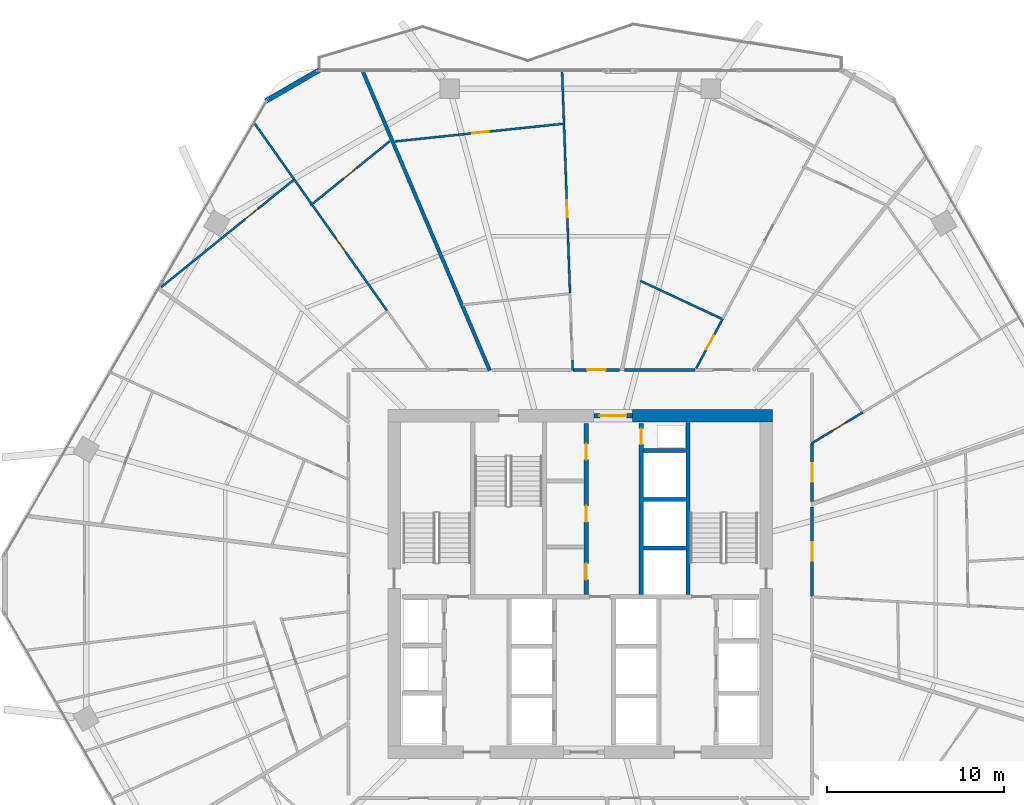
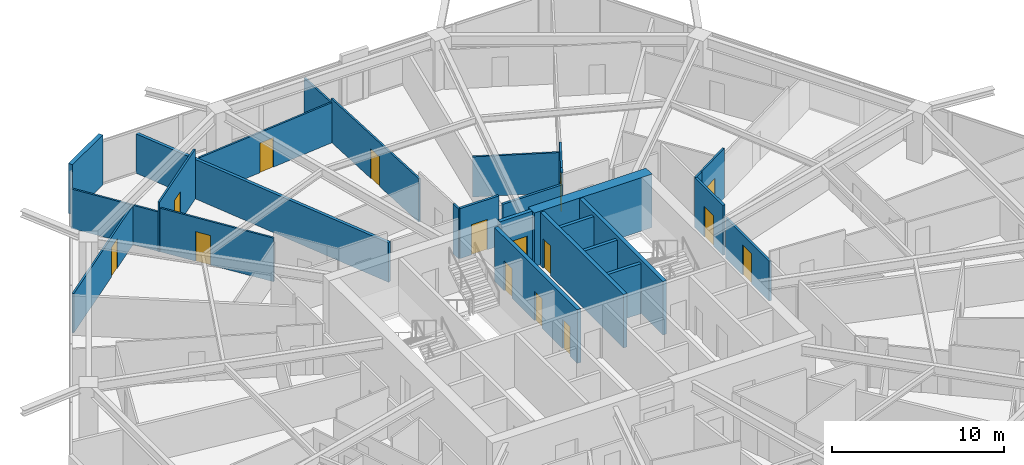
# One storey, part 28 of 33: 28 walls, 15 doors, 15 openings.
"""IFC4 building model written with IfcOpenShell, lengths in metres."""

import ifcopenshell
import ifcopenshell.guid

model = None  # the IFC model being written
_history = None  # IfcOwnerHistory: only IFC2X3 demands one
_inside = {}  # id of a spatial element -> (the spatial element, [elements in it])
_under = {}  # id of a project, library or spatial element -> (it, [spatial elements below it])
_declared = {}  # id of a project -> (the project, [libraries it declares])
_typed = {}  # id of a type object -> (the type object, [elements of that type])
_made_of = {}  # id of a material, layer set ... -> (it, [elements and type objects made of it])


def new_model(schema):
    """Start an empty IFC model of exactly this schema.

    Asked for "IFC4X3", IfcOpenShell would pick the latest addendum, in which some entities
    have other attributes; the version numbers below select the first issue.
    IFC2X3 requires an IfcOwnerHistory on every rooted entity: one is made here for all.
    """
    global model, _history
    if schema == "IFC4X3":
        model = ifcopenshell.file(schema_version=(4, 3, 0, 0))
    else:
        model = ifcopenshell.file(schema=schema)
    _inside.clear()
    _under.clear()
    _declared.clear()
    _typed.clear()
    _made_of.clear()
    _history = None
    if model.schema == "IFC2X3":
        org = make("IfcOrganization", Name="unknown")
        user = make(
            "IfcPersonAndOrganization",
            ThePerson=make("IfcPerson", FamilyName="unknown"),
            TheOrganization=org,
        )
        app = make(
            "IfcApplication",
            ApplicationDeveloper=org,
            Version="unknown",
            ApplicationFullName="unknown",
            ApplicationIdentifier="unknown",
        )
        _history = make(
            "IfcOwnerHistory",
            OwningUser=user,
            OwningApplication=app,
            ChangeAction="ADDED",
            CreationDate=0,
        )
    return model


def make(cls, **values):
    """One entity of the class cls with the attributes given. An attribute that is None is left unset."""
    return model.create_entity(
        cls, **{name: value for name, value in values.items() if value is not None}
    )


def rooted(cls, **values):
    """An entity with a GlobalId (a new one), such as an element, a storey or a relation."""
    return make(cls, GlobalId=ifcopenshell.guid.new(), OwnerHistory=_history, **values)


def si_unit(unit_type, name, prefix=None):
    """IfcSIUnit, for example si_unit("LENGTHUNIT", "METRE", prefix="MILLI")."""
    return make("IfcSIUnit", UnitType=unit_type, Prefix=prefix, Name=name)


def assignment(units):
    """IfcUnitAssignment: the units of a project."""
    return None if units is None else make("IfcUnitAssignment", Units=units)


def point(xyz):
    """IfcCartesianPoint."""
    return None if xyz is None else make("IfcCartesianPoint", Coordinates=xyz)


def direction(xyz):
    """IfcDirection."""
    return None if xyz is None else make("IfcDirection", DirectionRatios=xyz)


def frame(location, z_axis=None, x_axis=None):
    """IfcAxis2Placement3D, a coordinate frame: its origin and axes. An axis left out is left unset."""
    return make(
        "IfcAxis2Placement3D",
        Location=point(location),
        Axis=direction(z_axis),
        RefDirection=direction(x_axis),
    )


def frame_2d(location, x_axis=None):
    """IfcAxis2Placement2D, a coordinate frame in the plane: its origin and x axis."""
    return make(
        "IfcAxis2Placement2D", Location=point(location), RefDirection=direction(x_axis)
    )


def origin():
    """The frame at (0, 0, 0) with its axes left unset."""
    return frame((0.0, 0.0, 0.0))


def place(relative_to, where):
    """IfcLocalPlacement: puts the frame where relative to a parent placement (None: the world)."""
    return make(
        "IfcLocalPlacement", PlacementRelTo=relative_to, RelativePlacement=where
    )


def context(
    kind, dimensions, precision=None, world=None, true_north=None, identifier=None
):
    """IfcGeometricRepresentationContext, for example the 3D "Model" context."""
    return make(
        "IfcGeometricRepresentationContext",
        ContextIdentifier=identifier,
        ContextType=kind,
        CoordinateSpaceDimension=dimensions,
        Precision=precision,
        WorldCoordinateSystem=world,
        TrueNorth=true_north,
    )


def subcontext(parent, identifier, kind, view, scale=None):
    """IfcGeometricRepresentationSubContext, for example "Body" below "Model"."""
    return make(
        "IfcGeometricRepresentationSubContext",
        ContextIdentifier=identifier,
        ContextType=kind,
        ParentContext=parent,
        TargetScale=scale,
        TargetView=view,
    )


def project(units=None, contexts=None):
    """IfcProject with its units and contexts."""
    return rooted(
        "IfcProject",
        Name="project",
        RepresentationContexts=contexts,
        UnitsInContext=assignment(units),
    )


def spatial(cls, under=None, at=None, **own):
    """A site, building, storey or space (cls), placed at a placement, below another one or the project."""
    s = rooted(cls, ObjectPlacement=at, **own)
    if under is not None:
        _under.setdefault(under.id(), (under, []))[1].append(s)
    return s


def profile(cls, at=None, kind="AREA", **sizes):
    """A parametric profile (cls). Its sizes go by their IFC names, for example OverallWidth=200.0."""
    return make(cls, ProfileType=kind, Position=at, **sizes)


def rectangle(**sizes):
    """IfcRectangleProfileDef."""
    return profile("IfcRectangleProfileDef", **sizes)


def extrude(swept, where, along, depth):
    """IfcExtrudedAreaSolid: the profile swept, set in the frame where, extruded along a direction by depth."""
    return make(
        "IfcExtrudedAreaSolid",
        SweptArea=swept,
        Position=where,
        ExtrudedDirection=direction(along),
        Depth=depth,
    )


def shape(context_of_items, identifier, shape_type, items):
    """IfcShapeRepresentation: the items that make up one representation, for example the "Body"."""
    return make(
        "IfcShapeRepresentation",
        ContextOfItems=context_of_items,
        RepresentationIdentifier=identifier,
        RepresentationType=shape_type,
        Items=items,
    )


def material(Name=None, Category=None):
    """IfcMaterial."""
    return make("IfcMaterial", Name=Name, Category=Category)


def layer(
    of_material, thickness, ventilated=None, Name=None, Category=None, Priority=None
):
    """IfcMaterialLayer: one layer of a wall or slab, of a material (None: an air gap)."""
    return make(
        "IfcMaterialLayer",
        Material=of_material,
        LayerThickness=thickness,
        IsVentilated=ventilated,
        Name=Name,
        Category=Category,
        Priority=Priority,
    )


def layer_set(layers, Name=None):
    """IfcMaterialLayerSet."""
    return make("IfcMaterialLayerSet", MaterialLayers=layers, LayerSetName=Name)


def made_of(thing, what):
    """Note that an element or type object is made of a material, layer set ...; save() writes the relation."""
    if what is not None:
        _made_of.setdefault(what.id(), (what, []))[1].append(thing)
    return thing


def type_object(cls, material=None, **own):
    """A type object (cls), such as IfcWallType, which elements share."""
    return made_of(rooted(cls, **own), material)


def element(
    cls,
    number,
    at=None,
    inside=None,
    cuts=None,
    type_object=None,
    material=None,
    context=None,
    identifier="Body",
    shape_type=None,
    held_by="IfcProductDefinitionShape",
    body=None,
    shapes=None,
    **own,
):
    """One element of the class cls, such as IfcWall. Its Tag is "e" and its number.

    at: its placement. inside: the storey or other place that contains it. cuts: it is an
    opening in that element (IfcRelVoidsElement). A single representation is given by context,
    identifier, shape_type and body (its items); several are given by shapes. held_by: the class
    of the entity that holds the representations. save() writes the other relations.
    """
    e = rooted(cls, Tag="e%d" % number, ObjectPlacement=at, **own)
    if body is not None:
        shapes = [shape(context, identifier, shape_type, body)]
    if shapes is not None:
        e.Representation = make(held_by, Representations=shapes)
    if inside is not None:
        _inside.setdefault(inside.id(), (inside, []))[1].append(e)
    if cuts is not None:
        rooted(
            "IfcRelVoidsElement", RelatingBuildingElement=cuts, RelatedOpeningElement=e
        )
    if type_object is not None:
        _typed.setdefault(type_object.id(), (type_object, []))[1].append(e)
    return made_of(e, material)


def fill(opening, filler):
    """IfcRelFillsElement: the door or window that sits in an opening."""
    return rooted(
        "IfcRelFillsElement",
        RelatingOpeningElement=opening,
        RelatedBuildingElement=filler,
    )


def aggregate(whole, parts):
    """IfcRelAggregates: a whole, such as a stair, and the parts it consists of."""
    return rooted("IfcRelAggregates", RelatingObject=whole, RelatedObjects=parts)


def save(model, path):
    """Write the relations noted so far, then the file.

    IfcRelAggregates (storeys below a building ...), IfcRelContainedInSpatialStructure (elements
    in a storey), IfcRelDefinesByType, IfcRelAssociatesMaterial and IfcRelDeclares: one each for
    every whole, place, type object, material and project.
    """
    for whole, parts in _under.values():
        aggregate(whole, parts)
    for where, things in _inside.values():
        rooted(
            "IfcRelContainedInSpatialStructure",
            RelatedElements=things,
            RelatingStructure=where,
        )
    for kind, things in _typed.values():
        rooted("IfcRelDefinesByType", RelatedObjects=things, RelatingType=kind)
    for what, things in _made_of.values():
        rooted("IfcRelAssociatesMaterial", RelatedObjects=things, RelatingMaterial=what)
    for by, libraries in _declared.values():
        rooted("IfcRelDeclares", RelatingContext=by, RelatedDefinitions=libraries)
    model.write(path)


model = new_model("IFC4")

# Units and contexts
model_context = context("Model", 3, precision=1e-05, world=origin(), true_north=direction((0.0, 1.0)))
body_context = subcontext(model_context, "Body", "Model", "MODEL_VIEW")
ifc_project = project(units=[si_unit("LENGTHUNIT", "METRE"), si_unit("AREAUNIT", "SQUARE_METRE"), si_unit("VOLUMEUNIT", "CUBIC_METRE"), si_unit("PLANEANGLEUNIT", "RADIAN"), si_unit("MASSUNIT", "GRAM", prefix="KILO")], contexts=[model_context])

# Site, building, storey
site_placement = place(None, origin())
site = spatial("IfcSite", under=ifc_project, at=site_placement, CompositionType="ELEMENT")
building_placement = place(site_placement, origin())
building = spatial("IfcBuilding", under=site, at=building_placement, Name="Zuhravey Tower", CompositionType="ELEMENT")
storey_placement = place(building_placement, frame((0.0, 0.0, 103.800048828125)))
storey = spatial("IfcBuildingStorey", under=building, at=storey_placement, Name="L25", CompositionType="ELEMENT", Elevation=103.800048828125)

# Wall
ifc_material_1 = material(Name="Concrete C60/75", Category="concrete")
ifc_layer_1 = layer(ifc_material_1, 0.699951171875)
ifc_layer_set_1 = layer_set([ifc_layer_1], Name="Concrete C60/75")
wall_type_1 = type_object("IfcWallType", Name="Core Shear Wall 700", PredefinedType="SHEAR", material=ifc_layer_set_1)
wall_1_placement = place(storey_placement, frame((46.85009765625, 41.5, 0.0), z_axis=(0.0, 0.0, 1.0), x_axis=(-1.0, 0.0, 0.0)))
element("IfcWall", 1, at=wall_1_placement, inside=storey, type_object=wall_type_1, Name="L25 North-East Core Shear Wall CW70", PredefinedType="SHEAR", context=body_context, shape_type="SweptSolid", body=[
    extrude(rectangle(XDim=7.900146484375, YDim=0.699951171875, at=frame_2d((3.9501953125, 0.0))), origin(), (0.0, 0.0, 1.0), 3.800048828125),
])

# Wall, opening, door
ifc_material_2 = material(Name="Gypsum fire-rated stud partition")
ifc_layer_2 = layer(ifc_material_2, 0.159912109375)
ifc_layer_set_2 = layer_set([ifc_layer_2], Name="Gypsum fire-rated stud partition")
wall_type_2 = type_object("IfcWallType", Name="Corridor Fire Partition 160", PredefinedType="PARTITIONING", material=ifc_layer_set_2)
wall_2_placement = place(storey_placement, frame((49.080078125, 36.653076171875, 0.0), z_axis=(0.0, 0.0, 1.0), x_axis=(0.0, 1.0, 0.0)))
wall_2 = element("IfcWall", 2, at=wall_2_placement, inside=storey, type_object=wall_type_2, Name="L25 IW16 Partition 022", PredefinedType="PARTITIONING", context=body_context, shape_type="SweptSolid", body=[
    extrude(rectangle(XDim=3.27001953125, YDim=0.159912109375, at=frame_2d((1.635009765625, 0.0))), origin(), (0.0, 0.0, 1.0), 3.550048828125),
])
opening_1_placement = place(wall_2_placement, frame((1.110107421875, 0.0, 0.0)))
opening_1 = element("IfcOpeningElement", 3, at=opening_1_placement, cuts=wall_2, Name="Opening APD1", PredefinedType="OPENING", context=body_context, shape_type="SweptSolid", body=[
    extrude(rectangle(XDim=1.050048828125, YDim=2.14990234375, at=frame_2d((0.52490234375, 1.074951171875))), frame((0.0, 0.092041015625, 0.0), z_axis=(0.0, -1.0, 0.0), x_axis=(1.0, 0.0, 0.0)), (0.0, 0.0, 1.0), 0.183837890625),
])
ifc_material_3 = material(Name="Solid-core oak fire-rated leaf")
door_type_1 = type_object("IfcDoorType", Name="Apartment Entrance Fire Door 1050x2150", OperationType="NOTDEFINED", PredefinedType="DOOR", material=ifc_material_3)
door_1_placement = place(opening_1_placement, frame((1.050048828125, 0.0, 0.0), z_axis=(0.0, 0.0, 1.0), x_axis=(-1.0, 0.0, 0.0)))
door_1 = element("IfcDoor", 4, at=door_1_placement, inside=storey, type_object=door_type_1, Name="L25 Door 022.1", OperationType="SINGLE_SWING_RIGHT", OverallHeight=2.14990234375, OverallWidth=1.050048828125, PredefinedType="DOOR", context=body_context, shape_type="SweptSolid", body=[
    extrude(rectangle(XDim=1.050048828125, YDim=2.14990234375, at=frame_2d((0.52490234375, 1.074951171875))), frame((0.0, 0.02490234375, 0.0), z_axis=(0.0, -1.0, 0.0), x_axis=(1.0, 0.0, 0.0)), (0.0, 0.0, 1.0), 0.050048828125),
])
fill(opening_1, door_1)

wall_3_placement = place(storey_placement, frame((38.218505859375, 44.080078125, 0.0), z_axis=(0.0, 0.0, 1.0), x_axis=(-1.0, 0.0, 0.0)))
wall_3 = element("IfcWall", 5, at=wall_3_placement, inside=storey, type_object=wall_type_2, Name="L25 IW16 Partition 032", PredefinedType="PARTITIONING", context=body_context, shape_type="SweptSolid", body=[
    extrude(rectangle(XDim=2.62890625, YDim=0.159912109375, at=frame_2d((1.314453125, 0.0))), origin(), (0.0, 0.0, 1.0), 3.550048828125),
])
opening_2_placement = place(wall_3_placement, frame((0.78955078125, 0.0, 0.0)))
opening_2 = element("IfcOpeningElement", 6, at=opening_2_placement, cuts=wall_3, Name="Opening APD1", PredefinedType="OPENING", context=body_context, shape_type="SweptSolid", body=[
    extrude(rectangle(XDim=1.050048828125, YDim=2.14990234375, at=frame_2d((0.52490234375, 1.074951171875))), frame((0.0, 0.092041015625, 0.0), z_axis=(0.0, -1.0, 0.0), x_axis=(1.0, 0.0, 0.0)), (0.0, 0.0, 1.0), 0.183837890625),
])
door_2_placement = place(opening_2_placement, frame((1.050048828125, 0.0, 0.0), z_axis=(0.0, 0.0, 1.0), x_axis=(-1.0, 0.0, 0.0)))
door_2 = element("IfcDoor", 7, at=door_2_placement, inside=storey, type_object=door_type_1, Name="L25 Door 032.1", OperationType="SINGLE_SWING_LEFT", OverallHeight=2.14990234375, OverallWidth=1.050048828125, PredefinedType="DOOR", context=body_context, shape_type="SweptSolid", body=[
    extrude(rectangle(XDim=1.050048828125, YDim=2.14990234375, at=frame_2d((0.52490234375, 1.074951171875))), frame((0.0, 0.02490234375, 0.0), z_axis=(0.0, -1.0, 0.0), x_axis=(1.0, 0.0, 0.0)), (0.0, 0.0, 1.0), 0.050048828125),
])
fill(opening_2, door_2)

wall_4_placement = place(storey_placement, frame((49.080078125, 31.288818359375, 0.0), z_axis=(0.0, 0.0, 1.0), x_axis=(0.0, 1.0, 0.0)))
wall_4 = element("IfcWall", 8, at=wall_4_placement, inside=storey, type_object=wall_type_2, Name="L25 IW16 Partition 074", PredefinedType="PARTITIONING", context=body_context, shape_type="SweptSolid", body=[
    extrude(rectangle(XDim=5.066650390625, YDim=0.159912109375, at=frame_2d((2.533203125, 0.0))), origin(), (0.0, 0.0, 1.0), 2.849853515625),
])
opening_3_placement = place(wall_4_placement, frame((2.00830078125, 0.0, 0.0)))
opening_3 = element("IfcOpeningElement", 9, at=opening_3_placement, cuts=wall_4, Name="Opening APD1", PredefinedType="OPENING", context=body_context, shape_type="SweptSolid", body=[
    extrude(rectangle(XDim=1.050048828125, YDim=2.14990234375, at=frame_2d((0.52490234375, 1.074951171875))), frame((0.0, 0.092041015625, 0.0), z_axis=(0.0, -1.0, 0.0), x_axis=(1.0, 0.0, 0.0)), (0.0, 0.0, 1.0), 0.183837890625),
])
door_3_placement = place(opening_3_placement, frame((1.050048828125, 0.0, 0.0), z_axis=(0.0, 0.0, 1.0), x_axis=(-1.0, 0.0, 0.0)))
door_3 = element("IfcDoor", 10, at=door_3_placement, inside=storey, type_object=door_type_1, Name="L25 Door 074.1", OperationType="SINGLE_SWING_LEFT", OverallHeight=2.14990234375, OverallWidth=1.050048828125, PredefinedType="DOOR", context=body_context, shape_type="SweptSolid", body=[
    extrude(rectangle(XDim=1.050048828125, YDim=2.14990234375, at=frame_2d((0.52490234375, 1.074951171875))), frame((0.0, 0.02490234375, 0.0), z_axis=(0.0, -1.0, 0.0), x_axis=(1.0, 0.0, 0.0)), (0.0, 0.0, 1.0), 0.050048828125),
])
fill(opening_3, door_3)

# Walls
wall_5_placement = place(storey_placement, frame((42.46533203125, 44.080078125, 0.0), z_axis=(0.0, 0.0, 1.0), x_axis=(-1.0, 0.0, 0.0)))
element("IfcWall", 11, at=wall_5_placement, inside=storey, type_object=wall_type_2, Name="L25 IW16 Partition 139", PredefinedType="PARTITIONING", context=body_context, shape_type="SweptSolid", body=[
    extrude(rectangle(XDim=3.9873046875, YDim=0.159912109375, at=frame_2d((1.99365234375, 0.0))), origin(), (0.0, 0.0, 1.0), 2.849853515625),
])
ifc_material_4 = material(Name="Precast concrete C40/50", Category="concrete")
ifc_layer_3 = layer(ifc_material_4, 0.280029296875)
ifc_layer_set_3 = layer_set([ifc_layer_3], Name="Precast concrete C40/50")
wall_type_3 = type_object("IfcWallType", Name="Crown Architectural Wall 280", PredefinedType="SOLIDWALL", material=ifc_layer_set_3)
wall_6_placement = place(storey_placement, frame((18.23876953125, 59.24853515625, 0.0), z_axis=(0.0, 0.0, 1.0), x_axis=(0.866007452331, 0.500031091541, 0.0)))
element("IfcWall", 12, at=wall_6_placement, inside=storey, type_object=wall_type_3, Name="L25 Rounded Corner Closure Wall EW28-08", PredefinedType="SOLIDWALL", context=body_context, shape_type="SweptSolid", body=[
    extrude(rectangle(XDim=3.514892578125, YDim=0.280029296875, at=frame_2d((1.75732421875, 0.0))), origin(), (0.0, 0.0, 1.0), 3.550048828125),
])

# Wall, opening, door
ifc_material_5 = material(Name="Concrete C50/60", Category="concrete")
ifc_layer_4 = layer(ifc_material_5, 0.25)
ifc_layer_set_4 = layer_set([ifc_layer_4], Name="Concrete C50/60")
wall_type_4 = type_object("IfcWallType", Name="Firefighting Shaft & Stair Wall 250", PredefinedType="SOLIDWALL", material=ifc_layer_set_4)
wall_7_placement = place(storey_placement, frame((36.760009765625, 41.5, 0.0), z_axis=(0.0, 0.0, 1.0), x_axis=(1.0, 0.0, 0.0)))
wall_7 = element("IfcWall", 13, at=wall_7_placement, inside=storey, type_object=wall_type_4, Name="L25 FW25 Shaft Wall 002", PredefinedType="SOLIDWALL", context=body_context, shape_type="SweptSolid", body=[
    extrude(rectangle(XDim=2.179931640625, YDim=0.25, at=frame_2d((1.08984375, 0.0))), origin(), (0.0, 0.0, 1.0), 3.800048828125),
])
opening_4_placement = place(wall_7_placement, frame((0.340087890625, 0.0, 0.0)))
opening_4 = element("IfcOpeningElement", 14, at=opening_4_placement, cuts=wall_7, Name="Opening FFD1", PredefinedType="OPENING", context=body_context, shape_type="SweptSolid", body=[
    extrude(rectangle(XDim=1.5, YDim=2.14990234375, at=frame_2d((0.75, 1.074951171875))), frame((0.0, 0.136962890625, 0.0), z_axis=(0.0, -1.0, 0.0), x_axis=(1.0, 0.0, 0.0)), (0.0, 0.0, 1.0), 0.27392578125),
])
ifc_material_6 = material(Name="Galvanised fire-rated steel leaf", Category="steel")
door_type_2 = type_object("IfcDoorType", Name="Firefighting Lobby Double Door 1500x2150", OperationType="DOUBLE_DOOR_SINGLE_SWING", PredefinedType="DOOR", material=ifc_material_6)
door_4_placement = place(opening_4_placement, origin())
door_4 = element("IfcDoor", 15, at=door_4_placement, inside=storey, type_object=door_type_2, Name="L25 North Lift Lobby Exit Door", OperationType="DOUBLE_DOOR_SINGLE_SWING", OverallHeight=2.14990234375, OverallWidth=1.5, PredefinedType="DOOR", context=body_context, shape_type="SweptSolid", body=[
    extrude(rectangle(XDim=1.5, YDim=2.14990234375, at=frame_2d((0.75, 1.074951171875))), frame((0.0, 0.02490234375, 0.0), z_axis=(0.0, -1.0, 0.0), x_axis=(1.0, 0.0, 0.0)), (0.0, 0.0, 1.0), 0.050048828125),
])
fill(opening_4, door_4)

# Wall
wall_8_placement = place(storey_placement, frame((42.074951171875, 31.39990234375, 0.0), z_axis=(0.0, 0.0, 1.0), x_axis=(0.0, 1.0, 0.0)))
element("IfcWall", 16, at=wall_8_placement, inside=storey, type_object=wall_type_4, Name="L25 FW25 Shaft Wall 006", PredefinedType="SOLIDWALL", context=body_context, shape_type="SweptSolid", body=[
    extrude(rectangle(XDim=9.7001953125, YDim=0.25, at=frame_2d((4.85009765625, 0.0))), origin(), (0.0, 0.0, 1.0), 3.800048828125),
])

# Wall, openings, doors
wall_9_placement = place(storey_placement, frame((36.324951171875, 31.39990234375, 0.0), z_axis=(0.0, 0.0, 1.0), x_axis=(0.0, 1.0, 0.0)))
wall_9 = element("IfcWall", 17, at=wall_9_placement, inside=storey, type_object=wall_type_4, Name="L25 FW25 Shaft Wall 007", PredefinedType="SOLIDWALL", context=body_context, shape_type="SweptSolid", body=[
    extrude(rectangle(XDim=9.650146484375, YDim=0.25, at=frame_2d((4.8251953125, 0.0))), origin(), (0.0, 0.0, 1.0), 3.800048828125),
])
opening_5_placement = place(wall_9_placement, frame((0.840087890625, 0.0, 0.0)))
opening_5 = element("IfcOpeningElement", 18, at=opening_5_placement, cuts=wall_9, Name="Opening RSD1", PredefinedType="OPENING", context=body_context, shape_type="SweptSolid", body=[
    extrude(rectangle(XDim=0.89990234375, YDim=2.10009765625, at=frame_2d((0.449951171875, 1.050048828125))), frame((0.0, 0.136962890625, 0.0), z_axis=(0.0, -1.0, 0.0), x_axis=(1.0, 0.0, 0.0)), (0.0, 0.0, 1.0), 0.27392578125),
])
opening_6_placement = place(wall_9_placement, frame((4.10009765625, 0.0, 0.0)))
opening_6 = element("IfcOpeningElement", 19, at=opening_6_placement, cuts=wall_9, Name="Opening RSD1", PredefinedType="OPENING", context=body_context, shape_type="SweptSolid", body=[
    extrude(rectangle(XDim=0.89990234375, YDim=2.10009765625, at=frame_2d((0.449951171875, 1.050048828125))), frame((0.0, 0.136962890625, 0.0), z_axis=(0.0, -1.0, 0.0), x_axis=(1.0, 0.0, 0.0)), (0.0, 0.0, 1.0), 0.27392578125),
])
opening_7_placement = place(wall_9_placement, frame((7.610107421875, 0.0, 0.0)))
opening_7 = element("IfcOpeningElement", 20, at=opening_7_placement, cuts=wall_9, Name="Opening RSD1", PredefinedType="OPENING", context=body_context, shape_type="SweptSolid", body=[
    extrude(rectangle(XDim=0.89990234375, YDim=2.10009765625, at=frame_2d((0.449951171875, 1.050048828125))), frame((0.0, 0.136962890625, 0.0), z_axis=(0.0, -1.0, 0.0), x_axis=(1.0, 0.0, 0.0)), (0.0, 0.0, 1.0), 0.27392578125),
])
ifc_material_7 = material(Name="Galvanised fire-rated steel access leaf", Category="steel")
door_type_3 = type_object("IfcDoorType", Name="Riser & Shaft Access Fire Door 900x2100", OperationType="NOTDEFINED", PredefinedType="DOOR", material=ifc_material_7)
door_5_placement = place(opening_5_placement, origin())
door_5 = element("IfcDoor", 21, at=door_5_placement, inside=storey, type_object=door_type_3, Name="L25 Core Staff WC Door", OperationType="SINGLE_SWING_RIGHT", OverallHeight=2.10009765625, OverallWidth=0.89990234375, PredefinedType="DOOR", context=body_context, shape_type="SweptSolid", body=[
    extrude(rectangle(XDim=0.89990234375, YDim=2.10009765625, at=frame_2d((0.449951171875, 1.050048828125))), frame((0.0, 0.02490234375, 0.0), z_axis=(0.0, -1.0, 0.0), x_axis=(1.0, 0.0, 0.0)), (0.0, 0.0, 1.0), 0.050048828125),
])
fill(opening_5, door_5)
door_6_placement = place(opening_6_placement, origin())
door_6 = element("IfcDoor", 22, at=door_6_placement, inside=storey, type_object=door_type_3, Name="L25 IT and Comms Room Door", OperationType="SINGLE_SWING_LEFT", OverallHeight=2.10009765625, OverallWidth=0.89990234375, PredefinedType="DOOR", context=body_context, shape_type="SweptSolid", body=[
    extrude(rectangle(XDim=0.89990234375, YDim=2.10009765625, at=frame_2d((0.449951171875, 1.050048828125))), frame((0.0, 0.02490234375, 0.0), z_axis=(0.0, -1.0, 0.0), x_axis=(1.0, 0.0, 0.0)), (0.0, 0.0, 1.0), 0.050048828125),
])
fill(opening_6, door_6)
door_7_placement = place(opening_7_placement, origin())
door_7 = element("IfcDoor", 23, at=door_7_placement, inside=storey, type_object=door_type_3, Name="L25 Janitor Linen Store Door", OperationType="SINGLE_SWING_RIGHT", OverallHeight=2.10009765625, OverallWidth=0.89990234375, PredefinedType="DOOR", context=body_context, shape_type="SweptSolid", body=[
    extrude(rectangle(XDim=0.89990234375, YDim=2.10009765625, at=frame_2d((0.449951171875, 1.050048828125))), frame((0.0, 0.02490234375, 0.0), z_axis=(0.0, -1.0, 0.0), x_axis=(1.0, 0.0, 0.0)), (0.0, 0.0, 1.0), 0.050048828125),
])
fill(opening_7, door_7)

# Wall, opening, door
wall_10_placement = place(storey_placement, frame((39.425048828125, 31.39990234375, 0.0), z_axis=(0.0, 0.0, 1.0), x_axis=(0.0, 1.0, 0.0)))
wall_10 = element("IfcWall", 24, at=wall_10_placement, inside=storey, type_object=wall_type_4, Name="L25 FW25 Shaft Wall 008", PredefinedType="SOLIDWALL", context=body_context, shape_type="SweptSolid", body=[
    extrude(rectangle(XDim=9.650146484375, YDim=0.25, at=frame_2d((4.8251953125, 0.0))), origin(), (0.0, 0.0, 1.0), 3.800048828125),
])
opening_8_placement = place(wall_10_placement, frame((8.469970703125, 0.0, 0.0)))
opening_8 = element("IfcOpeningElement", 25, at=opening_8_placement, cuts=wall_10, Name="Opening RSD1", PredefinedType="OPENING", context=body_context, shape_type="SweptSolid", body=[
    extrude(rectangle(XDim=0.89990234375, YDim=2.10009765625, at=frame_2d((0.449951171875, 1.050048828125))), frame((0.0, 0.136962890625, 0.0), z_axis=(0.0, -1.0, 0.0), x_axis=(1.0, 0.0, 0.0)), (0.0, 0.0, 1.0), 0.27392578125),
])
door_8_placement = place(opening_8_placement, origin())
door_8 = element("IfcDoor", 26, at=door_8_placement, inside=storey, type_object=door_type_3, Name="L25 North Riser Door", OperationType="SINGLE_SWING_LEFT", OverallHeight=2.10009765625, OverallWidth=0.89990234375, PredefinedType="DOOR", context=body_context, shape_type="SweptSolid", body=[
    extrude(rectangle(XDim=0.89990234375, YDim=2.10009765625, at=frame_2d((0.449951171875, 1.050048828125))), frame((0.0, 0.02490234375, 0.0), z_axis=(0.0, -1.0, 0.0), x_axis=(1.0, 0.0, 0.0)), (0.0, 0.0, 1.0), 0.050048828125),
])
fill(opening_8, door_8)

# Walls
ifc_material_8 = material(Name="Gypsum double-stud party assembly")
ifc_layer_5 = layer(ifc_material_8, 0.199951171875)
ifc_layer_set_5 = layer_set([ifc_layer_5], Name="Gypsum double-stud party assembly")
wall_type_5 = type_object("IfcWallType", Name="Inter-Tenancy Party Wall 200", PredefinedType="PARTITIONING", material=ifc_layer_set_5)
wall_11_placement = place(storey_placement, frame((30.889404296875, 44.0400390625, 0.0), z_axis=(0.0, 0.0, 1.0), x_axis=(-0.39073950449, 0.920501298006, 0.0)))
element("IfcWall", 27, at=wall_11_placement, inside=storey, type_object=wall_type_5, Name="L25 IW20 Partition 097", PredefinedType="PARTITIONING", context=body_context, shape_type="SweptSolid", body=[
    extrude(rectangle(XDim=18.379638671875, YDim=0.199951171875, at=frame_2d((9.18994140625, 0.0))), origin(), (0.0, 0.0, 1.0), 2.800048828125),
])
ifc_material_9 = material(Name="Gypsum acoustic stud assembly")
ifc_layer_6 = layer(ifc_material_9, 0.219970703125)
ifc_layer_set_6 = layer_set([ifc_layer_6], Name="Gypsum acoustic stud assembly")
wall_type_6 = type_object("IfcWallType", Name="School Acoustic Compartment Wall 220", PredefinedType="PARTITIONING", material=ifc_layer_set_6)
for number, where, z_axis, x_axis, name in (
    (28, (39.55810546875, 34.02490234375, 0.0), (0.0, 0.0, 1.0), (1.0, 0.0, 0.0), "L25 IW22 Partition 077"),
    (29, (39.55810546875, 36.77490234375, 0.0), (0.0, 0.0, 1.0), (1.0, 0.0, 0.0), "L25 IW22 Partition 078"),
    (30, (39.55810546875, 39.52490234375, 0.0), (0.0, 0.0, 1.0), (1.0, 0.0, 0.0), "L25 IW22 Partition 079"),
):
    element("IfcWall", number, at=place(storey_placement, frame(where, z_axis=z_axis, x_axis=x_axis)), inside=storey, type_object=wall_type_6, Name=name, PredefinedType="PARTITIONING", context=body_context, shape_type="SweptSolid", body=[
        extrude(rectangle(XDim=2.3837890625, YDim=0.219970703125, at=frame_2d((1.19189453125, 0.0))), origin(), (0.0, 0.0, 1.0), 3.550048828125),
    ])

# Wall, opening, door
ifc_material_10 = material(Name="Gypsum metal-stud partition")
ifc_layer_7 = layer(ifc_material_10, 0.1201171875)
ifc_layer_set_7 = layer_set([ifc_layer_7], Name="Gypsum metal-stud partition")
wall_type_7 = type_object("IfcWallType", Name="Unit Internal Partition 120", PredefinedType="PARTITIONING", material=ifc_layer_set_7)
wall_12_placement = place(storey_placement, frame((49.64990234375, 40.292724609375, 0.0), z_axis=(0.0, 0.0, 1.0), x_axis=(0.854654905255, 0.519196487781, 0.0)))
wall_12 = element("IfcWall", 31, at=wall_12_placement, inside=storey, type_object=wall_type_7, Name="L25 IW12 Partition 019", PredefinedType="PARTITIONING", context=body_context, shape_type="SweptSolid", body=[
    extrude(rectangle(XDim=2.68408203125, YDim=0.1201171875, at=frame_2d((1.342041015625, 0.0))), origin(), (0.0, 0.0, 1.0), 3.550048828125),
])
opening_9_placement = place(wall_12_placement, frame((0.67724609375, 0.0, 0.0)))
opening_9 = element("IfcOpeningElement", 32, at=opening_9_placement, cuts=wall_12, Name="Opening WCD1", PredefinedType="OPENING", context=body_context, shape_type="SweptSolid", body=[
    extrude(rectangle(XDim=0.89990234375, YDim=2.10009765625, at=frame_2d((0.449951171875, 1.050048828125))), frame((0.0, 0.072021484375, 0.0), z_axis=(0.0, -1.0, 0.0), x_axis=(1.0, 0.0, 0.0)), (0.0, 0.0, 1.0), 0.14404296875),
])
ifc_material_11 = material(Name="Moisture-resistant timber leaf", Category="wood")
door_type_4 = type_object("IfcDoorType", Name="Bathroom & WC Internal Door 900x2100", OperationType="NOTDEFINED", PredefinedType="DOOR", material=ifc_material_11)
door_9_placement = place(opening_9_placement, origin())
door_9 = element("IfcDoor", 33, at=door_9_placement, inside=storey, type_object=door_type_4, Name="Apartment L25-01 Bathroom Door", OperationType="SINGLE_SWING_LEFT", OverallHeight=2.10009765625, OverallWidth=0.89990234375, PredefinedType="DOOR", context=body_context, shape_type="SweptSolid", body=[
    extrude(rectangle(XDim=0.89990234375, YDim=2.10009765625, at=frame_2d((0.449951171875, 1.050048828125))), frame((0.0, 0.02490234375, 0.0), z_axis=(0.0, -1.0, 0.0), x_axis=(1.0, 0.0, 0.0)), (0.0, 0.0, 1.0), 0.050048828125),
])
fill(opening_9, door_9)

wall_13_placement = place(storey_placement, frame((42.794189453125, 44.64990234375, 0.0), z_axis=(0.0, 0.0, 1.0), x_axis=(0.473152013486, 0.880980801229, 0.0)))
wall_13 = element("IfcWall", 34, at=wall_13_placement, inside=storey, type_object=wall_type_7, Name="L25 IW12 Partition 024", PredefinedType="PARTITIONING", context=body_context, shape_type="SweptSolid", body=[
    extrude(rectangle(XDim=2.62744140625, YDim=0.1201171875, at=frame_2d((1.313720703125, 0.0))), origin(), (0.0, 0.0, 1.0), 3.550048828125),
])
opening_10_placement = place(wall_13_placement, frame((0.653564453125, 0.0, 0.0)))
opening_10 = element("IfcOpeningElement", 35, at=opening_10_placement, cuts=wall_13, Name="Opening WCD1", PredefinedType="OPENING", context=body_context, shape_type="SweptSolid", body=[
    extrude(rectangle(XDim=0.89990234375, YDim=2.10009765625, at=frame_2d((0.449951171875, 1.050048828125))), frame((0.0, 0.072021484375, 0.0), z_axis=(0.0, -1.0, 0.0), x_axis=(1.0, 0.0, 0.0)), (0.0, 0.0, 1.0), 0.14404296875),
])
door_10_placement = place(opening_10_placement, origin())
door_10 = element("IfcDoor", 36, at=door_10_placement, inside=storey, type_object=door_type_4, Name="Apartment L25-02 Bathroom Door", OperationType="SINGLE_SWING_RIGHT", OverallHeight=2.10009765625, OverallWidth=0.89990234375, PredefinedType="DOOR", context=body_context, shape_type="SweptSolid", body=[
    extrude(rectangle(XDim=0.89990234375, YDim=2.10009765625, at=frame_2d((0.449951171875, 1.050048828125))), frame((0.0, 0.02490234375, 0.0), z_axis=(0.0, -1.0, 0.0), x_axis=(1.0, 0.0, 0.0)), (0.0, 0.0, 1.0), 0.050048828125),
])
fill(opening_10, door_10)

wall_14_placement = place(storey_placement, frame((35.415283203125, 48.4111328125, 0.0), z_axis=(0.0, 0.0, 1.0), x_axis=(-0.035569015933, 0.999367222349, 0.0)))
wall_14 = element("IfcWall", 37, at=wall_14_placement, inside=storey, type_object=wall_type_7, Name="L25 IW12 Partition 030", PredefinedType="PARTITIONING", context=body_context, shape_type="SweptSolid", body=[
    extrude(rectangle(XDim=9.595703125, YDim=0.1201171875, at=frame_2d((4.7978515625, 0.0))), origin(), (0.0, 0.0, 1.0), 3.099853515625),
])
opening_11_placement = place(wall_14_placement, frame((4.2978515625, 0.0, 0.0)))
opening_11 = element("IfcOpeningElement", 38, at=opening_11_placement, cuts=wall_14, Name="Opening IND1", PredefinedType="OPENING", context=body_context, shape_type="SweptSolid", body=[
    extrude(rectangle(XDim=0.949951171875, YDim=2.10009765625, at=frame_2d((0.47509765625, 1.050048828125))), frame((0.0, 0.072021484375, 0.0), z_axis=(0.0, -1.0, 0.0), x_axis=(1.0, 0.0, 0.0)), (0.0, 0.0, 1.0), 0.14404296875),
])
ifc_material_12 = material(Name="Painted engineered timber leaf", Category="wood")
door_type_5 = type_object("IfcDoorType", Name="Internal Room & Bedroom Door 950x2100", OperationType="NOTDEFINED", PredefinedType="DOOR", material=ifc_material_12)
door_11_placement = place(opening_11_placement, origin())
door_11 = element("IfcDoor", 39, at=door_11_placement, inside=storey, type_object=door_type_5, Name="Apartment L25-03 Home Office Door", OperationType="SINGLE_SWING_LEFT", OverallHeight=2.10009765625, OverallWidth=0.949951171875, PredefinedType="DOOR", context=body_context, shape_type="SweptSolid", body=[
    extrude(rectangle(XDim=0.949951171875, YDim=2.10009765625, at=frame_2d((0.47509765625, 1.050048828125))), frame((0.0, 0.02490234375, 0.0), z_axis=(0.0, -1.0, 0.0), x_axis=(1.0, 0.0, 0.0)), (0.0, 0.0, 1.0), 0.050048828125),
])
fill(opening_11, door_11)

wall_15_placement = place(storey_placement, frame((35.007080078125, 57.96875, 0.0), z_axis=(0.0, 0.0, 1.0), x_axis=(-0.994523439889, -0.104513767091, 0.0)))
wall_15 = element("IfcWall", 40, at=wall_15_placement, inside=storey, type_object=wall_type_7, Name="L25 IW12 Partition 031", PredefinedType="PARTITIONING", context=body_context, shape_type="SweptSolid", body=[
    extrude(rectangle(XDim=9.511962890625, YDim=0.1201171875, at=frame_2d((4.755859375, 0.0))), origin(), (0.0, 0.0, 1.0), 2.849853515625),
])
opening_12_placement = place(wall_15_placement, frame((4.197021484375, 0.0, 0.0)))
opening_12 = element("IfcOpeningElement", 41, at=opening_12_placement, cuts=wall_15, Name="Opening IND1", PredefinedType="OPENING", context=body_context, shape_type="SweptSolid", body=[
    extrude(rectangle(XDim=0.949951171875, YDim=2.10009765625, at=frame_2d((0.47509765625, 1.050048828125))), frame((0.0, 0.072021484375, 0.0), z_axis=(0.0, -1.0, 0.0), x_axis=(1.0, 0.0, 0.0)), (0.0, 0.0, 1.0), 0.14404296875),
])
door_12_placement = place(opening_12_placement, frame((0.949951171875, 0.0, 0.0), z_axis=(0.0, 0.0, 1.0), x_axis=(-1.0, 0.0, 0.0)))
door_12 = element("IfcDoor", 42, at=door_12_placement, inside=storey, type_object=door_type_5, Name="Apartment L25-03 Bedroom 1 Door", OperationType="SINGLE_SWING_RIGHT", OverallHeight=2.10009765625, OverallWidth=0.949951171875, PredefinedType="DOOR", context=body_context, shape_type="SweptSolid", body=[
    extrude(rectangle(XDim=0.949951171875, YDim=2.10009765625, at=frame_2d((0.47509765625, 1.050048828125))), frame((0.0, 0.02490234375, 0.0), z_axis=(0.0, -1.0, 0.0), x_axis=(1.0, 0.0, 0.0)), (0.0, 0.0, 1.0), 0.050048828125),
])
fill(opening_12, door_12)

wall_16_placement = place(storey_placement, frame((25.244873046875, 56.986083984375, 0.0), z_axis=(0.0, 0.0, 1.0), x_axis=(-0.777148191712, -0.629317636904, 0.0)))
wall_16 = element("IfcWall", 43, at=wall_16_placement, inside=storey, type_object=wall_type_7, Name="L25 IW12 Partition 033", PredefinedType="PARTITIONING", context=body_context, shape_type="SweptSolid", body=[
    extrude(rectangle(XDim=5.763671875, YDim=0.1201171875, at=frame_2d((2.8818359375, 0.0))), origin(), (0.0, 0.0, 1.0), 3.550048828125),
])
opening_13_placement = place(wall_16_placement, frame((2.40673828125, 0.0, 0.0)))
opening_13 = element("IfcOpeningElement", 44, at=opening_13_placement, cuts=wall_16, Name="Opening IND1", PredefinedType="OPENING", context=body_context, shape_type="SweptSolid", body=[
    extrude(rectangle(XDim=0.949951171875, YDim=2.10009765625, at=frame_2d((0.47509765625, 1.050048828125))), frame((0.0, 0.072021484375, 0.0), z_axis=(0.0, -1.0, 0.0), x_axis=(1.0, 0.0, 0.0)), (0.0, 0.0, 1.0), 0.14404296875),
])
door_13_placement = place(opening_13_placement, frame((0.949951171875, 0.0, 0.0), z_axis=(0.0, 0.0, 1.0), x_axis=(-1.0, 0.0, 0.0)))
door_13 = element("IfcDoor", 45, at=door_13_placement, inside=storey, type_object=door_type_5, Name="Apartment L25-04 Family Study Door", OperationType="SINGLE_SWING_RIGHT", OverallHeight=2.10009765625, OverallWidth=0.949951171875, PredefinedType="DOOR", context=body_context, shape_type="SweptSolid", body=[
    extrude(rectangle(XDim=0.949951171875, YDim=2.10009765625, at=frame_2d((0.47509765625, 1.050048828125))), frame((0.0, 0.02490234375, 0.0), z_axis=(0.0, -1.0, 0.0), x_axis=(1.0, 0.0, 0.0)), (0.0, 0.0, 1.0), 0.050048828125),
])
fill(opening_13, door_13)

wall_17_placement = place(storey_placement, frame((25.084716796875, 47.427490234375, 0.0), z_axis=(0.0, 0.0, 1.0), x_axis=(-0.577572190058, 0.81633961393, 0.0)))
wall_17 = element("IfcWall", 46, at=wall_17_placement, inside=storey, type_object=wall_type_7, Name="L25 IW12 Partition 035", PredefinedType="PARTITIONING", context=body_context, shape_type="SweptSolid", body=[
    extrude(rectangle(XDim=7.275146484375, YDim=0.1201171875, at=frame_2d((3.6376953125, 0.0))), origin(), (0.0, 0.0, 1.0), 3.099853515625),
])
opening_14_placement = place(wall_17_placement, frame((4.04443359375, 0.0, 0.0)))
opening_14 = element("IfcOpeningElement", 47, at=opening_14_placement, cuts=wall_17, Name="Opening IND1", PredefinedType="OPENING", context=body_context, shape_type="SweptSolid", body=[
    extrude(rectangle(XDim=0.949951171875, YDim=2.10009765625, at=frame_2d((0.47509765625, 1.050048828125))), frame((0.0, 0.072021484375, 0.0), z_axis=(0.0, -1.0, 0.0), x_axis=(1.0, 0.0, 0.0)), (0.0, 0.0, 1.0), 0.14404296875),
])
door_14_placement = place(opening_14_placement, origin())
door_14 = element("IfcDoor", 48, at=door_14_placement, inside=storey, type_object=door_type_5, Name="Apartment L25-04 Home Office Door", OperationType="SINGLE_SWING_RIGHT", OverallHeight=2.10009765625, OverallWidth=0.949951171875, PredefinedType="DOOR", context=body_context, shape_type="SweptSolid", body=[
    extrude(rectangle(XDim=0.949951171875, YDim=2.10009765625, at=frame_2d((0.47509765625, 1.050048828125))), frame((0.0, 0.02490234375, 0.0), z_axis=(0.0, -1.0, 0.0), x_axis=(1.0, 0.0, 0.0)), (0.0, 0.0, 1.0), 0.050048828125),
])
fill(opening_14, door_14)

# Wall
wall_18_placement = place(storey_placement, frame((20.80419921875, 53.4775390625, 0.0), z_axis=(0.0, 0.0, 1.0), x_axis=(-0.577488374184, 0.816398908428, 0.0)))
element("IfcWall", 49, at=wall_18_placement, inside=storey, type_object=wall_type_7, Name="L25 IW12 Partition 036", PredefinedType="PARTITIONING", context=body_context, shape_type="SweptSolid", body=[
    extrude(rectangle(XDim=1.677978515625, YDim=0.1201171875, at=frame_2d((0.8388671875, 0.0))), origin(), (0.0, 0.0, 1.0), 2.800048828125),
])

# Wall, opening, door
wall_19_placement = place(storey_placement, frame((19.796630859375, 54.783935546875, 0.0), z_axis=(0.0, 0.0, 1.0), x_axis=(-0.777151172812, -0.629313955508, 0.0)))
wall_19 = element("IfcWall", 50, at=wall_19_placement, inside=storey, type_object=wall_type_7, Name="L25 IW12 Partition 037", PredefinedType="PARTITIONING", context=body_context, shape_type="SweptSolid", body=[
    extrude(rectangle(XDim=9.588134765625, YDim=0.1201171875, at=frame_2d((4.7939453125, 0.0))), origin(), (0.0, 0.0, 1.0), 2.800048828125),
])
opening_15_placement = place(wall_19_placement, frame((2.551513671875, 0.0, 0.0)))
opening_15 = element("IfcOpeningElement", 51, at=opening_15_placement, cuts=wall_19, Name="Opening IND1", PredefinedType="OPENING", context=body_context, shape_type="SweptSolid", body=[
    extrude(rectangle(XDim=0.949951171875, YDim=2.10009765625, at=frame_2d((0.47509765625, 1.050048828125))), frame((0.0, 0.072021484375, 0.0), z_axis=(0.0, -1.0, 0.0), x_axis=(1.0, 0.0, 0.0)), (0.0, 0.0, 1.0), 0.14404296875),
])
door_15_placement = place(opening_15_placement, frame((0.949951171875, 0.0, 0.0), z_axis=(0.0, 0.0, 1.0), x_axis=(-1.0, 0.0, 0.0)))
door_15 = element("IfcDoor", 52, at=door_15_placement, inside=storey, type_object=door_type_5, Name="Apartment L25-04 Bedroom 1 Door", OperationType="SINGLE_SWING_LEFT", OverallHeight=2.10009765625, OverallWidth=0.949951171875, PredefinedType="DOOR", context=body_context, shape_type="SweptSolid", body=[
    extrude(rectangle(XDim=0.949951171875, YDim=2.10009765625, at=frame_2d((0.47509765625, 1.050048828125))), frame((0.0, 0.02490234375, 0.0), z_axis=(0.0, -1.0, 0.0), x_axis=(1.0, 0.0, 0.0)), (0.0, 0.0, 1.0), 0.050048828125),
])
fill(opening_15, door_15)

# Walls
wall_20_placement = place(storey_placement, frame((49.04150390625, 39.923095703125, 0.0), z_axis=(0.0, 0.0, 1.0), x_axis=(0.854635339674, 0.519228693526, 0.0)))
element("IfcWall", 53, at=wall_20_placement, inside=storey, type_object=wall_type_7, Name="L25 IW12 Partition 085", PredefinedType="PARTITIONING", context=body_context, shape_type="SweptSolid", body=[
    extrude(rectangle(XDim=0.7119140625, YDim=0.1201171875, at=frame_2d((0.35595703125, 0.0))), origin(), (0.0, 0.0, 1.0), 3.550048828125),
])
wall_21_placement = place(storey_placement, frame((42.535400390625, 44.16796875, 0.0), z_axis=(0.0, 0.0, 1.0), x_axis=(0.473088148205, 0.881015098638, 0.0)))
element("IfcWall", 54, at=wall_21_placement, inside=storey, type_object=wall_type_7, Name="L25 IW12 Partition 089", PredefinedType="PARTITIONING", context=body_context, shape_type="SweptSolid", body=[
    extrude(rectangle(XDim=0.547119140625, YDim=0.1201171875, at=frame_2d((0.2734375, 0.0))), origin(), (0.0, 0.0, 1.0), 3.550048828125),
])
wall_22_placement = place(storey_placement, frame((43.9638671875, 46.971435546875, 0.0), z_axis=(0.0, 0.0, 1.0), x_axis=(-0.906312552641, 0.422608041719, 0.0)))
element("IfcWall", 55, at=wall_22_placement, inside=storey, type_object=wall_type_7, Name="L25 IW12 Partition 091", PredefinedType="PARTITIONING", context=body_context, shape_type="SweptSolid", body=[
    extrude(rectangle(XDim=5.058837890625, YDim=0.1201171875, at=frame_2d((2.529296875, 0.0))), origin(), (0.0, 0.0, 1.0), 2.849853515625),
])
wall_23_placement = place(storey_placement, frame((35.5712890625, 44.034912109375, 0.0), z_axis=(0.0, 0.0, 1.0), x_axis=(-0.03570568138, 0.999362348859, 0.0)))
element("IfcWall", 56, at=wall_23_placement, inside=storey, type_object=wall_type_7, Name="L25 IW12 Partition 094", PredefinedType="PARTITIONING", context=body_context, shape_type="SweptSolid", body=[
    extrude(rectangle(XDim=0.615478515625, YDim=0.1201171875, at=frame_2d((0.3076171875, 0.0))), origin(), (0.0, 0.0, 1.0), 3.550048828125),
])
wall_24_placement = place(storey_placement, frame((35.07373046875, 58.000732421875, 0.0), z_axis=(0.0, 0.0, 1.0), x_axis=(-0.035576968913, 0.999366939259, 0.0)))
element("IfcWall", 57, at=wall_24_placement, inside=storey, type_object=wall_type_7, Name="L25 IW12 Partition 095", PredefinedType="PARTITIONING", context=body_context, shape_type="SweptSolid", body=[
    extrude(rectangle(XDim=2.964599609375, YDim=0.1201171875, at=frame_2d((1.482421875, 0.0))), origin(), (0.0, 0.0, 1.0), 2.800048828125),
])
wall_25_placement = place(storey_placement, frame((19.835205078125, 54.847412109375, 0.0), z_axis=(0.0, 0.0, 1.0), x_axis=(-0.577627737913, 0.816300310176, 0.0)))
element("IfcWall", 58, at=wall_25_placement, inside=storey, type_object=wall_type_7, Name="L25 IW12 Partition 099", PredefinedType="PARTITIONING", context=body_context, shape_type="SweptSolid", body=[
    extrude(rectangle(XDim=3.895263671875, YDim=0.1201171875, at=frame_2d((1.94775390625, 0.0))), origin(), (0.0, 0.0, 1.0), 2.800048828125),
])

save(model, "model.ifc")
